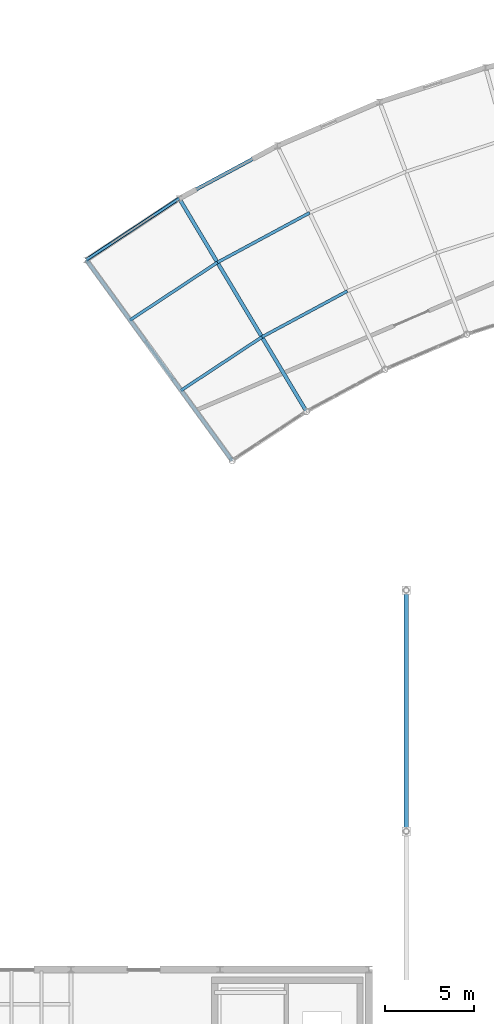
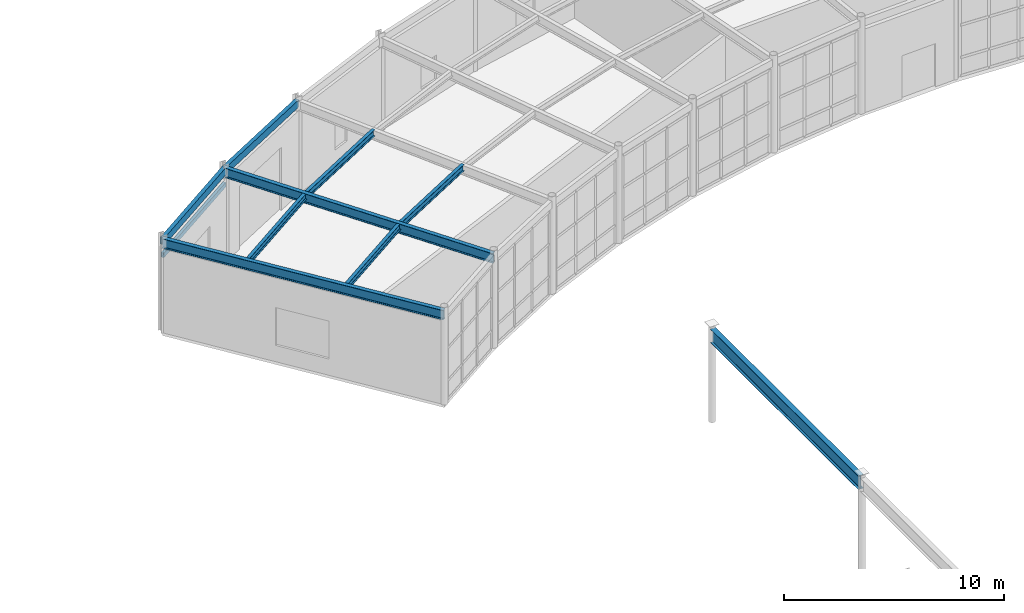
# One storey, part 43 of 87: 10 beams.
"""IFC4 building model written with IfcOpenShell, lengths in metres."""

from ifc_helpers import new_model, si_unit, direction, frame, origin, origin_2d, place, context, subcontext, project, spatial, hollow_rectangle, i_section, extrude, material, material_profile, profile_set, type_object, element, save


model = new_model("IFC4")

# Units and contexts
model_context = context("Model", 3, precision=1e-05, world=origin(), true_north=direction((0.0, 1.0)))
body_context = subcontext(model_context, "Body", "Model", "MODEL_VIEW")
ifc_project = project(units=[si_unit("LENGTHUNIT", "METRE"), si_unit("AREAUNIT", "SQUARE_METRE"), si_unit("VOLUMEUNIT", "CUBIC_METRE"), si_unit("PLANEANGLEUNIT", "RADIAN"), si_unit("MASSUNIT", "GRAM", prefix="KILO")], contexts=[model_context])

# Site, building, storey
site_placement = place(None, origin())
site = spatial("IfcSite", under=ifc_project, at=site_placement, CompositionType="ELEMENT")
building_placement = place(site_placement, origin())
building = spatial("IfcBuilding", under=site, at=building_placement, Name="Selat Folded Stagehouse", CompositionType="ELEMENT")
storey_placement = place(building_placement, origin())
storey = spatial("IfcBuildingStorey", under=building, at=storey_placement, Name="L00", CompositionType="ELEMENT", Elevation=0.0)

# Beams
ifc_material = material(Name="Steel S355", Category="steel")
ifc_material_profile_1 = material_profile(ifc_material, i_section(OverallWidth=0.209228515625, OverallDepth=0.533203125, WebThickness=0.010009765625, FlangeThickness=0.015625, FilletRadius=0.0126953125, at=origin_2d()), Name="UKB 533x210x92")
ifc_profile_set_1 = profile_set([ifc_material_profile_1], Name="Steel S355")
beam_type_1 = type_object("IfcBeamType", Name="BM-GIRD-533x210x92", PredefinedType="BEAM", material=ifc_profile_set_1)
for number, where, z_axis, x_axis, name in (
    (1, (59.48388671875, 83.304931640625, 4.91357421875), (-0.587787980643, 0.809015012105, 0.0), (-0.809015012105, -0.587787980643, 0.0), "L00 curved rehearsal radial girder 1"),
    (2, (63.677490234375, 86.072998046875, 4.91357421875), (-0.512889467978, 0.858454654386, 0.0), (-0.858454654386, -0.512889467978, 0.0), "L00 curved rehearsal radial girder 2"),
):
    element("IfcBeam", number, at=place(storey_placement, frame(where, z_axis=z_axis, x_axis=x_axis)), inside=storey, type_object=beam_type_1, Name=name, PredefinedType="BEAM", context=body_context, shape_type="SweptSolid", body=[
        extrude(i_section(OverallWidth=0.209228515625, OverallDepth=0.533203125, WebThickness=0.010009765625, FlangeThickness=0.015625, FilletRadius=0.0126953125, at=origin_2d()), origin(), (0.0, 0.0, 1.0), 14.0),
    ])
ifc_material_profile_2 = material_profile(ifc_material, i_section(OverallWidth=0.26806640625, OverallDepth=0.769775390625, WebThickness=0.015625, FlangeThickness=0.025390625, FilletRadius=0.0166015625, at=origin_2d()), Name="UKB 762x267x197")
ifc_profile_set_2 = profile_set([ifc_material_profile_2], Name="Steel S355")
beam_type_2 = type_object("IfcBeamType", Name="BM-GIRD-762x267x197", PredefinedType="BEAM", material=ifc_profile_set_2)
beam_1_placement = place(storey_placement, frame((69.300048828125, 62.47998046875, 4.80517578125), z_axis=(0.0, 1.0, 0.0), x_axis=(-1.0, 0.0, 0.0)))
element("IfcBeam", 3, at=beam_1_placement, inside=storey, type_object=beam_type_2, Name="L00 primary y-girder 0578", PredefinedType="BEAM", context=body_context, shape_type="SweptSolid", body=[
    extrude(i_section(OverallWidth=0.26806640625, OverallDepth=0.769775390625, WebThickness=0.015625, FlangeThickness=0.025390625, FilletRadius=0.0166015625, at=origin_2d()), origin(), (0.0, 0.0, 1.0), 13.43994140625),
])
ifc_material_profile_3 = material_profile(ifc_material, i_section(OverallWidth=0.17138671875, OverallDepth=0.35498046875, WebThickness=0.00732421875, FlangeThickness=0.011474609375, FilletRadius=0.01025390625, at=origin_2d()), Name="UKB 356x171x51")
ifc_profile_set_3 = profile_set([ifc_material_profile_3], Name="Steel S355")
beam_type_3 = type_object("IfcBeamType", Name="JST-356x171x51", PredefinedType="JOIST", material=ifc_profile_set_3)
beam_2_placement = place(storey_placement, frame((56.60400390625, 87.269287109375, 5.00244140625), z_axis=(0.834571198411, 0.550900095102, 0.0), x_axis=(-0.550900095102, 0.834571198411, 0.0)))
element("IfcBeam", 4, at=beam_2_placement, inside=storey, type_object=beam_type_3, Name="L00 curved rehearsal secondary joist 1.1", PredefinedType="JOIST", context=body_context, shape_type="SweptSolid", body=[
    extrude(i_section(OverallWidth=0.17138671875, OverallDepth=0.35498046875, WebThickness=0.00732421875, FlangeThickness=0.011474609375, FilletRadius=0.01025390625, at=origin_2d()), origin(), (0.0, 0.0, 1.0), 5.46435546875),
])
beam_3_placement = place(storey_placement, frame((53.7236328125, 91.2333984375, 5.00244140625), z_axis=(0.834598760834, 0.550858337883, 0.0), x_axis=(-0.550858337883, 0.834598760834, 0.0)))
element("IfcBeam", 5, at=beam_3_placement, inside=storey, type_object=beam_type_3, Name="L00 curved rehearsal secondary joist 1.2", PredefinedType="JOIST", context=body_context, shape_type="SweptSolid", body=[
    extrude(i_section(OverallWidth=0.17138671875, OverallDepth=0.35498046875, WebThickness=0.00732421875, FlangeThickness=0.011474609375, FilletRadius=0.01025390625, at=origin_2d()), origin(), (0.0, 0.0, 1.0), 5.904296875),
])
beam_4_placement = place(storey_placement, frame((61.164306640625, 90.279541015625, 5.00244140625), z_axis=(0.88061308163, 0.473836048083, 0.0), x_axis=(-0.473836048083, 0.88061308163, 0.0)))
element("IfcBeam", 6, at=beam_4_placement, inside=storey, type_object=beam_type_3, Name="L00 curved rehearsal secondary joist 2.1", PredefinedType="JOIST", context=body_context, shape_type="SweptSolid", body=[
    extrude(i_section(OverallWidth=0.17138671875, OverallDepth=0.35498046875, WebThickness=0.00732421875, FlangeThickness=0.011474609375, FilletRadius=0.01025390625, at=origin_2d()), origin(), (0.0, 0.0, 1.0), 5.464599609375),
])
beam_5_placement = place(storey_placement, frame((58.6513671875, 94.48583984375, 5.00244140625), z_axis=(0.880583938492, 0.473890205923, 0.0), x_axis=(-0.473890205923, 0.880583938492, 0.0)))
element("IfcBeam", 7, at=beam_5_placement, inside=storey, type_object=beam_type_3, Name="L00 curved rehearsal secondary joist 2.2", PredefinedType="JOIST", context=body_context, shape_type="SweptSolid", body=[
    extrude(i_section(OverallWidth=0.17138671875, OverallDepth=0.35498046875, WebThickness=0.00732421875, FlangeThickness=0.011474609375, FilletRadius=0.01025390625, at=origin_2d()), origin(), (0.0, 0.0, 1.0), 5.904052734375),
])
ifc_material_profile_4 = material_profile(ifc_material, hollow_rectangle(XDim=0.14990234375, YDim=0.25, WallThickness=0.010009765625, at=origin_2d()), Name="RHS 250x150x10.0")
ifc_profile_set_4 = profile_set([ifc_material_profile_4], Name="Steel S355")
beam_type_4 = type_object("IfcBeamType", Name="LNT-RHS-250x150", PredefinedType="LINTEL", material=ifc_profile_set_4)
beam_6_placement = place(storey_placement, frame((51.2548828125, 94.631103515625, 4.199951171875), z_axis=(0.834582959038, 0.550882278244, 0.0), x_axis=(-0.550882278244, 0.834582959038, 0.0)))
element("IfcBeam", 8, at=beam_6_placement, inside=storey, type_object=beam_type_4, Name="L00 structural lintel beam 03", PredefinedType="LINTEL", context=body_context, shape_type="SweptSolid", body=[
    extrude(hollow_rectangle(XDim=0.14990234375, YDim=0.25, WallThickness=0.010009765625, at=origin_2d()), origin(), (0.0, 0.0, 1.0), 6.28125),
])
ifc_material_profile_5 = material_profile(ifc_material, hollow_rectangle(XDim=0.199951171875, YDim=0.39990234375, WallThickness=0.012451171875, at=origin_2d()), Name="RHS 400x200x12.5")
ifc_profile_set_5 = profile_set([ifc_material_profile_5], Name="Steel S355")
beam_type_5 = type_object("IfcBeamType", Name="SPD-EXT-400x200", PredefinedType="SPANDREL", material=ifc_profile_set_5)
beam_7_placement = place(storey_placement, frame((51.2548828125, 94.631103515625, 4.97998046875), z_axis=(0.834582959038, 0.550882278244, 0.0), x_axis=(-0.550882278244, 0.834582959038, 0.0)))
element("IfcBeam", 9, at=beam_7_placement, inside=storey, type_object=beam_type_5, Name="L00 outer curved rehearsal spandrel 1", PredefinedType="SPANDREL", context=body_context, shape_type="SweptSolid", body=[
    extrude(hollow_rectangle(XDim=0.199951171875, YDim=0.39990234375, WallThickness=0.012451171875, at=origin_2d()), origin(), (0.0, 0.0, 1.0), 6.28125),
])
beam_8_placement = place(storey_placement, frame((56.4970703125, 98.09130859375, 4.97998046875), z_axis=(0.880582156138, 0.473893517883, 0.0), x_axis=(-0.473893517883, 0.880582156138, 0.0)))
element("IfcBeam", 10, at=beam_8_placement, inside=storey, type_object=beam_type_5, Name="L00 outer curved rehearsal spandrel 2", PredefinedType="SPANDREL", context=body_context, shape_type="SweptSolid", body=[
    extrude(hollow_rectangle(XDim=0.199951171875, YDim=0.39990234375, WallThickness=0.012451171875, at=origin_2d()), origin(), (0.0, 0.0, 1.0), 6.281005859375),
])

save(model, "model.ifc")
